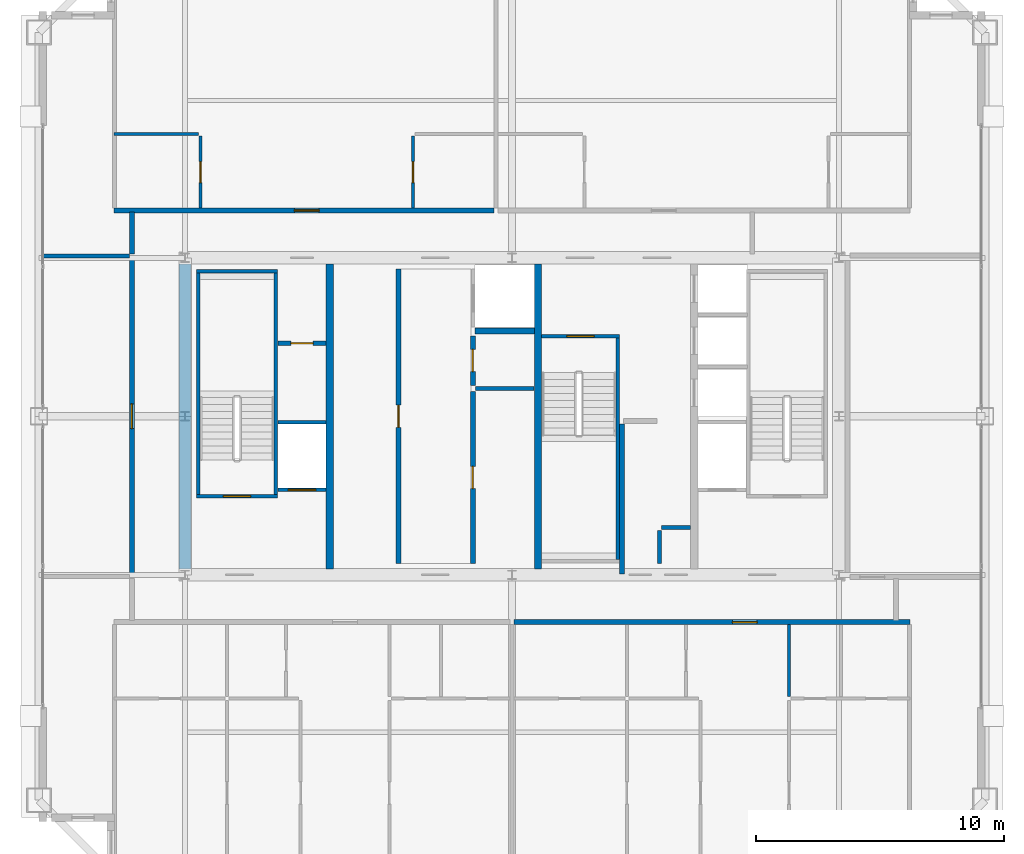
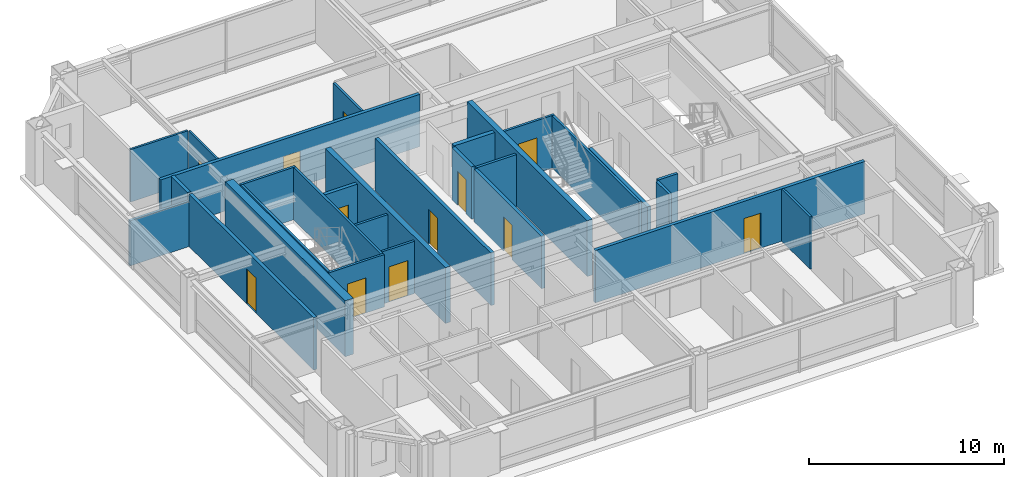
# One storey, part 31 of 34: 29 walls, 12 doors, 12 openings.
"""IFC4 building model written with IfcOpenShell, lengths in metres."""

from ifc_helpers import new_model, si_unit, direction, frame, frame_2d, origin, place, context, subcontext, project, spatial, rectangle, extrude, source, transform, mapped, material, layer, layer_set, type_object, element, fill, save


model = new_model("IFC4")

# Units and contexts
model_context = context("Model", 3, precision=1e-05, world=origin(), true_north=direction((0.0, 1.0)))
body_context = subcontext(model_context, "Body", "Model", "MODEL_VIEW")
ifc_project = project(units=[si_unit("LENGTHUNIT", "METRE"), si_unit("AREAUNIT", "SQUARE_METRE"), si_unit("VOLUMEUNIT", "CUBIC_METRE"), si_unit("PLANEANGLEUNIT", "RADIAN"), si_unit("MASSUNIT", "GRAM", prefix="KILO"), si_unit("THERMODYNAMICTEMPERATUREUNIT", "KELVIN"), si_unit("POWERUNIT", "WATT")], contexts=[model_context])

# Site, building, storey
site_placement = place(None, origin())
site = spatial("IfcSite", under=ifc_project, at=site_placement, CompositionType="ELEMENT")
building_placement = place(site_placement, origin())
building = spatial("IfcBuilding", under=site, at=building_placement, Name="Yuzanri Waterfront Tower", CompositionType="ELEMENT")
storey_placement = place(building_placement, frame((0.0, 0.0, 325.199951171875)))
storey = spatial("IfcBuildingStorey", under=building, at=storey_placement, Name="L87", CompositionType="ELEMENT", Elevation=325.199951171875)

# Wall, opening, door
ifc_material_1 = material(Name="Moisture-Resistant Gypsum Stud Wall", Category="gypsum")
ifc_layer_1 = layer(ifc_material_1, 0.1201171875)
ifc_layer_set_1 = layer_set([ifc_layer_1], Name="Moisture-Resistant Gypsum Stud Wall")
wall_type_1 = type_object("IfcWallType", Name="Bathroom and Kitchen Wet Partition 120", PredefinedType="PARTITIONING", material=ifc_layer_set_1)
wall_1_placement = place(storey_placement, frame((24.419921875, 34.2099609375, 0.0), z_axis=(0.0, 0.0, 1.0), x_axis=(0.0, 1.0, 0.0)))
wall_1 = element("IfcWall", 1, at=wall_1_placement, inside=storey, type_object=wall_type_1, Name="L87 Partition UW-L87-HN1-SUB-1-E", PredefinedType="PARTITIONING", context=body_context, shape_type="SweptSolid", body=[
    extrude(rectangle(XDim=2.900146484375, YDim=0.1201171875, at=frame_2d((1.4501953125, 0.0))), origin(), (0.0, 0.0, 1.0), 3.280029296875),
])
opening_1_placement = place(wall_1_placement, frame((1.02490234375, 0.0, 0.0)))
opening_1 = element("IfcOpeningElement", 2, at=opening_1_placement, cuts=wall_1, Name="Opening ID-0850", PredefinedType="OPENING", context=body_context, shape_type="SweptSolid", body=[
    extrude(rectangle(XDim=0.85009765625, YDim=2.10009765625, at=frame_2d((0.425048828125, 1.050048828125))), frame((0.0, 0.074951171875, 0.0), z_axis=(0.0, -1.0, 0.0), x_axis=(1.0, 0.0, 0.0)), (0.0, 0.0, 1.0), 0.14990234375),
])
ifc_material_2 = material(Name="Moisture-Resistant Lacquered Timber", Category="wood")
door_type_1 = type_object("IfcDoorType", Name="En-Suite Bathroom and Kitchen Swing Door 850x2100", OperationType="NOTDEFINED", PredefinedType="DOOR", material=ifc_material_2)
shared_shape_1 = source(origin(), body_context, "Body", "SweptSolid", [
    extrude(rectangle(XDim=0.85009765625, YDim=2.10009765625, at=frame_2d((0.425048828125, 1.050048828125))), frame((0.0, 0.02490234375, 0.0), z_axis=(0.0, -1.0, 0.0), x_axis=(1.0, 0.0, 0.0)), (0.0, 0.0, 1.0), 0.050048828125),
])
door_1_placement = place(opening_1_placement, origin())
door_1 = element("IfcDoor", 3, at=door_1_placement, inside=storey, type_object=door_type_1, Name="L87 Suite Interior Room Door", OperationType="SINGLE_SWING_LEFT", OverallHeight=2.10009765625, OverallWidth=0.85009765625, PredefinedType="DOOR", context=body_context, shape_type="MappedRepresentation", body=[
    mapped(shared_shape_1, transform((0.0, 0.0, 0.0), scale=1.0)),
])
fill(opening_1, door_1)

wall_2_placement = place(storey_placement, frame((32.998046875, 34.2099609375, 0.0), z_axis=(0.0, 0.0, 1.0), x_axis=(0.0, 1.0, 0.0)))
wall_2 = element("IfcWall", 4, at=wall_2_placement, inside=storey, type_object=wall_type_1, Name="L87 Partition UW-L87-HN1-SUB-2-W", PredefinedType="PARTITIONING", context=body_context, shape_type="SweptSolid", body=[
    extrude(rectangle(XDim=2.900146484375, YDim=0.1201171875, at=frame_2d((1.4501953125, 0.0))), origin(), (0.0, 0.0, 1.0), 3.280029296875),
])
opening_2_placement = place(wall_2_placement, frame((1.02490234375, 0.0, 0.0)))
opening_2 = element("IfcOpeningElement", 5, at=opening_2_placement, cuts=wall_2, Name="Opening ID-0850", PredefinedType="OPENING", context=body_context, shape_type="SweptSolid", body=[
    extrude(rectangle(XDim=0.85009765625, YDim=2.10009765625, at=frame_2d((0.425048828125, 1.050048828125))), frame((0.0, 0.074951171875, 0.0), z_axis=(0.0, -1.0, 0.0), x_axis=(1.0, 0.0, 0.0)), (0.0, 0.0, 1.0), 0.14990234375),
])
door_2_placement = place(opening_2_placement, origin())
door_2 = element("IfcDoor", 6, at=door_2_placement, inside=storey, type_object=door_type_1, Name="L87 Suite Interior Room Door", OperationType="SINGLE_SWING_RIGHT", OverallHeight=2.10009765625, OverallWidth=0.85009765625, PredefinedType="DOOR", context=body_context, shape_type="MappedRepresentation", body=[
    mapped(shared_shape_1, transform((0.0, 0.0, 0.0), scale=1.0)),
])
fill(opening_2, door_2)

ifc_material_3 = material(Name="Concrete C40", Category="concrete")
ifc_layer_2 = layer(ifc_material_3, 0.139892578125)
ifc_layer_set_2 = layer_set([ifc_layer_2], Name="Concrete C40")
wall_type_2 = type_object("IfcWallType", Name="Core Stair Liner and Hoistway Shaft Wall 140", PredefinedType="SOLIDWALL", material=ifc_layer_set_2)
wall_3_placement = place(storey_placement, frame((27.56005859375, 22.830078125, 0.0), z_axis=(0.0, 0.0, 1.0), x_axis=(1.0, 0.0, 0.0)))
wall_3 = element("IfcWall", 7, at=wall_3_placement, inside=storey, type_object=wall_type_2, Name="L87 Lift FL-01 Front Shaft Wall", PredefinedType="SOLIDWALL", context=body_context, shape_type="SweptSolid", body=[
    extrude(rectangle(XDim=1.919921875, YDim=0.139892578125, at=frame_2d((0.9599609375, 0.0))), origin(), (0.0, 0.0, 1.0), 3.280029296875),
])
opening_3_placement = place(wall_3_placement, frame((0.409912109375, 0.0, 0.0)))
opening_3 = element("IfcOpeningElement", 8, at=opening_3_placement, cuts=wall_3, Name="Opening LD-FL-01", PredefinedType="OPENING", context=body_context, shape_type="SweptSolid", body=[
    extrude(rectangle(XDim=1.10009765625, YDim=2.199951171875, at=frame_2d((0.550048828125, 1.10009765625))), frame((0.0, 0.0849609375, 0.0), z_axis=(0.0, -1.0, 0.0), x_axis=(1.0, 0.0, 0.0)), (0.0, 0.0, 1.0), 0.169677734375),
])
ifc_material_4 = material(Name="Brushed Bronze and Stainless Steel Cab", Category="steel")
door_type_2 = type_object("IfcDoorType", Name="Center-Parting Bronze Lift Landing Sliding Door 1100x2200", OperationType="NOTDEFINED", PredefinedType="DOOR", material=ifc_material_4)
shared_shape_2 = source(origin(), body_context, "Body", "SweptSolid", [
    extrude(rectangle(XDim=1.10009765625, YDim=2.199951171875, at=frame_2d((0.550048828125, 1.10009765625))), frame((0.0, 0.02490234375, 0.0), z_axis=(0.0, -1.0, 0.0), x_axis=(1.0, 0.0, 0.0)), (0.0, 0.0, 1.0), 0.050048828125),
])
door_3_placement = place(opening_3_placement, origin())
door_3 = element("IfcDoor", 9, at=door_3_placement, inside=storey, type_object=door_type_2, Name="L87 FL-01 Lift Landing Sliding Door", OperationType="SLIDING_TO_LEFT", OverallHeight=2.199951171875, OverallWidth=1.10009765625, PredefinedType="DOOR", context=body_context, shape_type="MappedRepresentation", body=[
    mapped(shared_shape_2, transform((0.0, 0.0, 0.0), scale=1.0)),
])
fill(opening_3, door_3)

wall_4_placement = place(storey_placement, frame((24.260009765625, 22.570068359375, 0.0), z_axis=(0.0, 0.0, 1.0), x_axis=(1.0, 0.0, 0.0)))
wall_4 = element("IfcWall", 10, at=wall_4_placement, inside=storey, type_object=wall_type_2, Name="L87 Shaft Wall STW-L87-ST-01-S", PredefinedType="SOLIDWALL", context=body_context, shape_type="SweptSolid", body=[
    extrude(rectangle(XDim=3.280029296875, YDim=0.139892578125, at=frame_2d((1.64013671875, 0.0))), origin(), (0.0, 0.0, 1.0), 3.280029296875),
])
opening_4_placement = place(wall_4_placement, frame((1.090087890625, 0.0, 0.0)))
opening_4 = element("IfcOpeningElement", 11, at=opening_4_placement, cuts=wall_4, Name="Opening FD-1100", PredefinedType="OPENING", context=body_context, shape_type="SweptSolid", body=[
    extrude(rectangle(XDim=1.10009765625, YDim=2.199951171875, at=frame_2d((0.550048828125, 1.10009765625))), frame((0.0, 0.0849609375, 0.0), z_axis=(0.0, -1.0, 0.0), x_axis=(1.0, 0.0, 0.0)), (0.0, 0.0, 1.0), 0.169677734375),
])
ifc_material_5 = material(Name="Painted Galvanized Fire Steel", Category="steel")
door_type_3 = type_object("IfcDoorType", Name="Smoke-Proof Stair and Lobby Fire Door 1100x2200", OperationType="NOTDEFINED", PredefinedType="DOOR", material=ifc_material_5)
shared_shape_3 = source(origin(), body_context, "Body", "SweptSolid", [
    extrude(rectangle(XDim=1.10009765625, YDim=2.199951171875, at=frame_2d((0.550048828125, 1.10009765625))), frame((0.0, 0.02490234375, 0.0), z_axis=(0.0, -1.0, 0.0), x_axis=(1.0, 0.0, 0.0)), (0.0, 0.0, 1.0), 0.050048828125),
])
door_4_placement = place(opening_4_placement, origin())
door_4 = element("IfcDoor", 12, at=door_4_placement, inside=storey, type_object=door_type_3, Name="L87 Stair ST-01 Fire Door", OperationType="SINGLE_SWING_RIGHT", OverallHeight=2.199951171875, OverallWidth=1.10009765625, PredefinedType="DOOR", context=body_context, shape_type="MappedRepresentation", body=[
    mapped(shared_shape_3, transform((0.0, 0.0, 0.0), scale=1.0)),
])
fill(opening_4, door_4)

wall_5_placement = place(storey_placement, frame((38.199951171875, 29.030029296875, 0.0), z_axis=(0.0, 0.0, 1.0), x_axis=(1.0, 0.0, 0.0)))
wall_5 = element("IfcWall", 13, at=wall_5_placement, inside=storey, type_object=wall_type_2, Name="L87 Shaft Wall STW-L87-ST-03-N", PredefinedType="SOLIDWALL", context=body_context, shape_type="SweptSolid", body=[
    extrude(rectangle(XDim=3.14013671875, YDim=0.139892578125, at=frame_2d((1.570068359375, 0.0))), origin(), (0.0, 0.0, 1.0), 3.280029296875),
])
opening_5_placement = place(wall_5_placement, frame((1.02001953125, 0.0, 0.0)))
opening_5 = element("IfcOpeningElement", 14, at=opening_5_placement, cuts=wall_5, Name="Opening FD-1100", PredefinedType="OPENING", context=body_context, shape_type="SweptSolid", body=[
    extrude(rectangle(XDim=1.10009765625, YDim=2.199951171875, at=frame_2d((0.550048828125, 1.10009765625))), frame((0.0, 0.0849609375, 0.0), z_axis=(0.0, -1.0, 0.0), x_axis=(1.0, 0.0, 0.0)), (0.0, 0.0, 1.0), 0.169677734375),
])
door_5_placement = place(opening_5_placement, origin())
door_5 = element("IfcDoor", 15, at=door_5_placement, inside=storey, type_object=door_type_3, Name="L87 Stair ST-03 Fire Door", OperationType="SINGLE_SWING_RIGHT", OverallHeight=2.199951171875, OverallWidth=1.10009765625, PredefinedType="DOOR", context=body_context, shape_type="MappedRepresentation", body=[
    mapped(shared_shape_3, transform((0.0, 0.0, 0.0), scale=1.0)),
])
fill(opening_5, door_5)

ifc_material_6 = material(Name="Autoclaved Aerated Concrete Blockwork", Category="masonry")
ifc_layer_3 = layer(ifc_material_6, 0.199951171875)
ifc_layer_set_3 = layer_set([ifc_layer_3], Name="Autoclaved Aerated Concrete Blockwork")
wall_type_3 = type_object("IfcWallType", Name="Corridor and Unit Party Fire Wall 200", PredefinedType="PARTITIONING", material=ifc_layer_set_3)
wall_6_placement = place(storey_placement, frame((27.56005859375, 28.75, 0.0), z_axis=(0.0, 0.0, 1.0), x_axis=(1.0, 0.0, 0.0)))
wall_6 = element("IfcWall", 16, at=wall_6_placement, inside=storey, type_object=wall_type_3, Name="L87 Partition CRW-L87-ERTR", PredefinedType="PARTITIONING", context=body_context, shape_type="SweptSolid", body=[
    extrude(rectangle(XDim=1.919921875, YDim=0.199951171875, at=frame_2d((0.9599609375, 0.0))), origin(), (0.0, 0.0, 1.0), 3.280029296875),
])
opening_6_placement = place(wall_6_placement, frame((0.510009765625, 0.0, 0.0)))
opening_6 = element("IfcOpeningElement", 17, at=opening_6_placement, cuts=wall_6, Name="Opening FD-0900", PredefinedType="OPENING", context=body_context, shape_type="SweptSolid", body=[
    extrude(rectangle(XDim=0.89990234375, YDim=2.14990234375, at=frame_2d((0.449951171875, 1.074951171875))), frame((0.0, 0.11474609375, 0.0), z_axis=(0.0, -1.0, 0.0), x_axis=(1.0, 0.0, 0.0)), (0.0, 0.0, 1.0), 0.229736328125),
])
ifc_material_7 = material(Name="Painted Galvanized Fire Steel", Category="steel")
door_type_4 = type_object("IfcDoorType", Name="Riser and Service Room Fire Door 900x2150", OperationType="NOTDEFINED", PredefinedType="DOOR", material=ifc_material_7)
shared_shape_4 = source(origin(), body_context, "Body", "SweptSolid", [
    extrude(rectangle(XDim=0.89990234375, YDim=2.14990234375, at=frame_2d((0.449951171875, 1.074951171875))), frame((0.0, 0.02490234375, 0.0), z_axis=(0.0, -1.0, 0.0), x_axis=(1.0, 0.0, 0.0)), (0.0, 0.0, 1.0), 0.050048828125),
])
door_6_placement = place(opening_6_placement, origin())
door_6 = element("IfcDoor", 18, at=door_6_placement, inside=storey, type_object=door_type_4, Name="L87 Electrical Riser Door", OperationType="SINGLE_SWING_RIGHT", OverallHeight=2.14990234375, OverallWidth=0.89990234375, PredefinedType="DOOR", context=body_context, shape_type="MappedRepresentation", body=[
    mapped(shared_shape_4, transform((0.0, 0.0, 0.0), scale=1.0)),
])
fill(opening_6, door_6)

wall_7_placement = place(storey_placement, frame((32.419921875, 19.860107421875, 0.0), z_axis=(0.0, 0.0, 1.0), x_axis=(0.0, 1.0, 0.0)))
wall_7 = element("IfcWall", 19, at=wall_7_placement, inside=storey, type_object=wall_type_3, Name="L87 Partition CRW-L87-B1R-1", PredefinedType="PARTITIONING", context=body_context, shape_type="SweptSolid", body=[
    extrude(rectangle(XDim=11.8798828125, YDim=0.199951171875, at=frame_2d((5.93994140625, 0.0))), origin(), (0.0, 0.0, 1.0), 3.280029296875),
])
opening_7_placement = place(wall_7_placement, frame((5.489990234375, 0.0, 0.0)))
opening_7 = element("IfcOpeningElement", 20, at=opening_7_placement, cuts=wall_7, Name="Opening FD-0900", PredefinedType="OPENING", context=body_context, shape_type="SweptSolid", body=[
    extrude(rectangle(XDim=0.89990234375, YDim=2.14990234375, at=frame_2d((0.449951171875, 1.074951171875))), frame((0.0, 0.11474609375, 0.0), z_axis=(0.0, -1.0, 0.0), x_axis=(1.0, 0.0, 0.0)), (0.0, 0.0, 1.0), 0.229736328125),
])
door_7_placement = place(opening_7_placement, origin())
door_7 = element("IfcDoor", 21, at=door_7_placement, inside=storey, type_object=door_type_4, Name="L87 Private Store Room", OperationType="SINGLE_SWING_LEFT", OverallHeight=2.14990234375, OverallWidth=0.89990234375, PredefinedType="DOOR", context=body_context, shape_type="MappedRepresentation", body=[
    mapped(shared_shape_4, transform((0.0, 0.0, 0.0), scale=1.0)),
])
fill(opening_7, door_7)

wall_8_placement = place(storey_placement, frame((35.419921875, 19.860107421875, 0.0), z_axis=(0.0, 0.0, 1.0), x_axis=(0.0, 1.0, 0.0)))
wall_8 = element("IfcWall", 22, at=wall_8_placement, inside=storey, type_object=wall_type_3, Name="L87 Partition CRW-L87-B2R-1", PredefinedType="PARTITIONING", context=body_context, shape_type="SweptSolid", body=[
    extrude(rectangle(XDim=6.93994140625, YDim=0.199951171875, at=frame_2d((3.469970703125, 0.0))), origin(), (0.0, 0.0, 1.0), 3.280029296875),
])
opening_8_placement = place(wall_8_placement, frame((3.02001953125, 0.0, 0.0)))
opening_8 = element("IfcOpeningElement", 23, at=opening_8_placement, cuts=wall_8, Name="Opening FD-0900", PredefinedType="OPENING", context=body_context, shape_type="SweptSolid", body=[
    extrude(rectangle(XDim=0.89990234375, YDim=2.14990234375, at=frame_2d((0.449951171875, 1.074951171875))), frame((0.0, 0.11474609375, 0.0), z_axis=(0.0, -1.0, 0.0), x_axis=(1.0, 0.0, 0.0)), (0.0, 0.0, 1.0), 0.229736328125),
])
door_8_placement = place(opening_8_placement, origin())
door_8 = element("IfcDoor", 24, at=door_8_placement, inside=storey, type_object=door_type_4, Name="L87 East Common Store Room", OperationType="SINGLE_SWING_RIGHT", OverallHeight=2.14990234375, OverallWidth=0.89990234375, PredefinedType="DOOR", context=body_context, shape_type="MappedRepresentation", body=[
    mapped(shared_shape_4, transform((0.0, 0.0, 0.0), scale=1.0)),
])
fill(opening_8, door_8)

wall_9_placement = place(storey_placement, frame((35.419921875, 27.050048828125, 0.0), z_axis=(0.0, 0.0, 1.0), x_axis=(0.0, 1.0, 0.0)))
wall_9 = element("IfcWall", 25, at=wall_9_placement, inside=storey, type_object=wall_type_3, Name="L87 Partition CRW-L87-B2R-2", PredefinedType="PARTITIONING", context=body_context, shape_type="SweptSolid", body=[
    extrude(rectangle(XDim=2.0, YDim=0.199951171875, at=frame_2d((1.0, 0.0))), origin(), (0.0, 0.0, 1.0), 3.280029296875),
])
opening_9_placement = place(wall_9_placement, frame((0.550048828125, 0.0, 0.0)))
opening_9 = element("IfcOpeningElement", 26, at=opening_9_placement, cuts=wall_9, Name="Opening FD-0900", PredefinedType="OPENING", context=body_context, shape_type="SweptSolid", body=[
    extrude(rectangle(XDim=0.89990234375, YDim=2.14990234375, at=frame_2d((0.449951171875, 1.074951171875))), frame((0.0, 0.11474609375, 0.0), z_axis=(0.0, -1.0, 0.0), x_axis=(1.0, 0.0, 0.0)), (0.0, 0.0, 1.0), 0.229736328125),
])
door_9_placement = place(opening_9_placement, origin())
door_9 = element("IfcDoor", 27, at=door_9_placement, inside=storey, type_object=door_type_4, Name="L87 Service Duct Shaft", OperationType="SINGLE_SWING_LEFT", OverallHeight=2.14990234375, OverallWidth=0.89990234375, PredefinedType="DOOR", context=body_context, shape_type="MappedRepresentation", body=[
    mapped(shared_shape_4, transform((0.0, 0.0, 0.0), scale=1.0)),
])
fill(opening_9, door_9)

wall_10_placement = place(storey_placement, frame((37.080078125, 17.489990234375, 0.0), z_axis=(0.0, 0.0, 1.0), x_axis=(1.0, 0.0, 0.0)))
wall_10 = element("IfcWall", 28, at=wall_10_placement, inside=storey, type_object=wall_type_3, Name="L87 Partition UW-L87-HS2-CN", PredefinedType="PARTITIONING", context=body_context, shape_type="SweptSolid", body=[
    extrude(rectangle(XDim=15.97998046875, YDim=0.199951171875, at=frame_2d((7.989990234375, 0.0))), origin(), (0.0, 0.0, 1.0), 3.280029296875),
])
opening_10_placement = place(wall_10_placement, frame((8.81591796875, 0.0, 0.0)))
opening_10 = element("IfcOpeningElement", 29, at=opening_10_placement, cuts=wall_10, Name="Opening FD-1000", PredefinedType="OPENING", context=body_context, shape_type="SweptSolid", body=[
    extrude(rectangle(XDim=1.0, YDim=2.199951171875, at=frame_2d((0.5, 1.10009765625))), frame((0.0, 0.11474609375, 0.0), z_axis=(0.0, -1.0, 0.0), x_axis=(1.0, 0.0, 0.0)), (0.0, 0.0, 1.0), 0.229736328125),
])
ifc_material_8 = material(Name="Engineered Oak Fire-Rated Timber", Category="wood")
door_type_5 = type_object("IfcDoorType", Name="Guestroom and Apartment Entrance Fire Door 1000x2200", OperationType="NOTDEFINED", PredefinedType="DOOR", material=ifc_material_8)
shared_shape_5 = source(origin(), body_context, "Body", "SweptSolid", [
    extrude(rectangle(XDim=1.0, YDim=2.199951171875, at=frame_2d((0.5, 1.10009765625))), frame((0.0, 0.02490234375, 0.0), z_axis=(0.0, -1.0, 0.0), x_axis=(1.0, 0.0, 0.0)), (0.0, 0.0, 1.0), 0.050048828125),
])
door_10_placement = place(opening_10_placement, origin())
door_10 = element("IfcDoor", 30, at=door_10_placement, inside=storey, type_object=door_type_5, Name="L87 Apartment Living and Dining Salon Entrance Door", OperationType="SINGLE_SWING_RIGHT", OverallHeight=2.199951171875, OverallWidth=1.0, PredefinedType="DOOR", context=body_context, shape_type="MappedRepresentation", body=[
    mapped(shared_shape_5, transform((0.0, 0.0, 0.0), scale=1.0)),
])
fill(opening_10, door_10)

wall_11_placement = place(storey_placement, frame((20.93994140625, 34.110107421875, 0.0), z_axis=(0.0, 0.0, 1.0), x_axis=(1.0, 0.0, 0.0)))
wall_11 = element("IfcWall", 31, at=wall_11_placement, inside=storey, type_object=wall_type_3, Name="L87 Partition UW-L87-HN1-CS", PredefinedType="PARTITIONING", context=body_context, shape_type="SweptSolid", body=[
    extrude(rectangle(XDim=15.338134765625, YDim=0.199951171875, at=frame_2d((7.6689453125, 0.0))), origin(), (0.0, 0.0, 1.0), 3.280029296875),
])
opening_11_placement = place(wall_11_placement, frame((7.26904296875, 0.0, 0.0)))
opening_11 = element("IfcOpeningElement", 32, at=opening_11_placement, cuts=wall_11, Name="Opening FD-1000", PredefinedType="OPENING", context=body_context, shape_type="SweptSolid", body=[
    extrude(rectangle(XDim=1.0, YDim=2.199951171875, at=frame_2d((0.5, 1.10009765625))), frame((0.0, 0.11474609375, 0.0), z_axis=(0.0, -1.0, 0.0), x_axis=(1.0, 0.0, 0.0)), (0.0, 0.0, 1.0), 0.229736328125),
])
door_11_placement = place(opening_11_placement, origin())
door_11 = element("IfcDoor", 33, at=door_11_placement, inside=storey, type_object=door_type_5, Name="L87 Studio Living and Sleeping Room Entrance Door", OperationType="SINGLE_SWING_RIGHT", OverallHeight=2.199951171875, OverallWidth=1.0, PredefinedType="DOOR", context=body_context, shape_type="MappedRepresentation", body=[
    mapped(shared_shape_5, transform((0.0, 0.0, 0.0), scale=1.0)),
])
fill(opening_11, door_11)

wall_12_placement = place(storey_placement, frame((21.64990234375, 19.409912109375, 0.0), z_axis=(0.0, 0.0, 1.0), x_axis=(0.0, 1.0, 0.0)))
wall_12 = element("IfcWall", 34, at=wall_12_placement, inside=storey, type_object=wall_type_3, Name="L87 Partition UW-L87-041-CW", PredefinedType="PARTITIONING", context=body_context, shape_type="SweptSolid", body=[
    extrude(rectangle(XDim=12.780029296875, YDim=0.199951171875, at=frame_2d((6.39013671875, 0.0))), origin(), (0.0, 0.0, 1.0), 3.280029296875),
])
opening_12_placement = place(wall_12_placement, frame((5.889892578125, 0.0, 0.0)))
opening_12 = element("IfcOpeningElement", 35, at=opening_12_placement, cuts=wall_12, Name="Opening FD-1000", PredefinedType="OPENING", context=body_context, shape_type="SweptSolid", body=[
    extrude(rectangle(XDim=1.0, YDim=2.199951171875, at=frame_2d((0.5, 1.10009765625))), frame((0.0, 0.11474609375, 0.0), z_axis=(0.0, -1.0, 0.0), x_axis=(1.0, 0.0, 0.0)), (0.0, 0.0, 1.0), 0.229736328125),
])
door_12_placement = place(opening_12_placement, origin())
door_12 = element("IfcDoor", 36, at=door_12_placement, inside=storey, type_object=door_type_5, Name="L87 High-Rise W Boardroom Meeting Room Entrance Door", OperationType="SINGLE_SWING_RIGHT", OverallHeight=2.199951171875, OverallWidth=1.0, PredefinedType="DOOR", context=body_context, shape_type="MappedRepresentation", body=[
    mapped(shared_shape_5, transform((0.0, 0.0, 0.0), scale=1.0)),
])
fill(opening_12, door_12)

# Walls
ifc_material_9 = material(Name="Concrete C45", Category="concrete")
ifc_layer_4 = layer(ifc_material_9, 0.47998046875)
ifc_layer_set_4 = layer_set([ifc_layer_4], Name="Concrete C45")
wall_type_4 = type_object("IfcWallType", Name="Concrete C45 High-Rise Core Shear Wall 480", PredefinedType="SHEAR", material=ifc_layer_set_4)
shared_shape_6 = source(origin(), body_context, "Body", "SweptSolid", [
    extrude(rectangle(XDim=12.320068359375, YDim=0.47998046875, at=frame_2d((6.16015625, 0.0))), origin(), (0.0, 0.0, 1.0), 3.5),
])
wall_13_placement = place(storey_placement, frame((23.800048828125, 19.639892578125, 0.0), z_axis=(0.0, 0.0, 1.0), x_axis=(0.0, 1.0, 0.0)))
element("IfcWall", 37, at=wall_13_placement, inside=storey, type_object=wall_type_4, Name="L87 Core West Shear Wall", PredefinedType="SHEAR", context=body_context, shape_type="MappedRepresentation", body=[
    mapped(shared_shape_6, transform((0.0, 0.0, 0.0), scale=1.0)),
])
ifc_material_10 = material(Name="Concrete C50", Category="concrete")
ifc_layer_5 = layer(ifc_material_10, 0.300048828125)
ifc_layer_set_5 = layer_set([ifc_layer_5], Name="Concrete C50")
wall_type_5 = type_object("IfcWallType", Name="Concrete C50 Internal Core Shaft Structural Wall 300", PredefinedType="SOLIDWALL", material=ifc_layer_set_5)
shared_shape_7 = source(origin(), body_context, "Body", "SweptSolid", [
    extrude(rectangle(XDim=12.320068359375, YDim=0.300048828125, at=frame_2d((6.16015625, 0.0))), origin(), (0.0, 0.0, 1.0), 3.5),
])
for number, where, z_axis, x_axis, name in (
    (38, (29.64990234375, 19.639892578125, 0.0), (0.0, 0.0, 1.0), (0.0, 1.0, 0.0), "L87 Core Internal Structural Web Wall 1"),
    (39, (38.050048828125, 19.639892578125, 0.0), (0.0, 0.0, 1.0), (0.0, 1.0, 0.0), "L87 Core Internal Structural Web Wall 2"),
):
    element("IfcWall", number, at=place(storey_placement, frame(where, z_axis=z_axis, x_axis=x_axis)), inside=storey, type_object=wall_type_5, Name=name, PredefinedType="SOLIDWALL", context=body_context, shape_type="MappedRepresentation", body=[
        mapped(shared_shape_7, transform((0.0, 0.0, 0.0), scale=1.0)),
    ])
shared_shape_8 = source(origin(), body_context, "Body", "SweptSolid", [
    extrude(rectangle(XDim=1.919921875, YDim=0.139892578125, at=frame_2d((0.9599609375, 0.0))), origin(), (0.0, 0.0, 1.0), 3.280029296875),
])
wall_14_placement = place(storey_placement, frame((27.56005859375, 25.570068359375, 0.0), z_axis=(0.0, 0.0, 1.0), x_axis=(1.0, 0.0, 0.0)))
element("IfcWall", 40, at=wall_14_placement, inside=storey, type_object=wall_type_2, Name="L87 Lift FL-01 Back Shaft Wall", PredefinedType="SOLIDWALL", context=body_context, shape_type="MappedRepresentation", body=[
    mapped(shared_shape_8, transform((0.0, 0.0, 0.0), scale=1.0)),
])
ifc_material_11 = material(Name="Concrete C40", Category="concrete")
ifc_layer_6 = layer(ifc_material_11, 0.25)
ifc_layer_set_6 = layer_set([ifc_layer_6], Name="Concrete C40")
wall_type_6 = type_object("IfcWallType", Name="Smoke-Proof Stair and Lift Shaft Wall 250", PredefinedType="SOLIDWALL", material=ifc_layer_set_6)
shared_shape_9 = source(origin(), body_context, "Body", "SweptSolid", [
    extrude(rectangle(XDim=2.39990234375, YDim=0.25, at=frame_2d((1.199951171875, 0.0))), origin(), (0.0, 0.0, 1.0), 3.280029296875),
])
wall_15_placement = place(storey_placement, frame((35.5, 29.25, 0.0), z_axis=(0.0, 0.0, 1.0), x_axis=(1.0, 0.0, 0.0)))
element("IfcWall", 41, at=wall_15_placement, inside=storey, type_object=wall_type_6, Name="L87 Lift SL-02 South Shaft Wall", PredefinedType="SOLIDWALL", context=body_context, shape_type="MappedRepresentation", body=[
    mapped(shared_shape_9, transform((0.0, 0.0, 0.0), scale=1.0)),
])
shared_shape_10 = source(origin(), body_context, "Body", "SweptSolid", [
    extrude(rectangle(XDim=3.280029296875, YDim=0.139892578125, at=frame_2d((1.64013671875, 0.0))), origin(), (0.0, 0.0, 1.0), 3.280029296875),
])
wall_16_placement = place(storey_placement, frame((24.260009765625, 31.64990234375, 0.0), z_axis=(0.0, 0.0, 1.0), x_axis=(1.0, 0.0, 0.0)))
element("IfcWall", 42, at=wall_16_placement, inside=storey, type_object=wall_type_2, Name="L87 Stair ST-01 North Shaft Wall", PredefinedType="SOLIDWALL", context=body_context, shape_type="MappedRepresentation", body=[
    mapped(shared_shape_10, transform((0.0, 0.0, 0.0), scale=1.0)),
])
shared_shape_11 = source(origin(), body_context, "Body", "SweptSolid", [
    extrude(rectangle(XDim=8.940185546875, YDim=0.139892578125, at=frame_2d((4.47021484375, 0.0))), origin(), (0.0, 0.0, 1.0), 3.280029296875),
])
for number, where, z_axis, x_axis, name in (
    (43, (24.330078125, 22.639892578125, 0.0), (0.0, 0.0, 1.0), (0.0, 1.0, 0.0), "L87 Stair ST-01 West Shaft Wall"),
    (44, (27.469970703125, 22.639892578125, 0.0), (0.0, 0.0, 1.0), (0.0, 1.0, 0.0), "L87 Stair ST-01 East Shaft Wall"),
):
    element("IfcWall", number, at=place(storey_placement, frame(where, z_axis=z_axis, x_axis=x_axis)), inside=storey, type_object=wall_type_2, Name=name, PredefinedType="SOLIDWALL", context=body_context, shape_type="MappedRepresentation", body=[
        mapped(shared_shape_11, transform((0.0, 0.0, 0.0), scale=1.0)),
    ])
shared_shape_12 = source(origin(), body_context, "Body", "SweptSolid", [
    extrude(rectangle(XDim=8.93994140625, YDim=0.139892578125, at=frame_2d((4.469970703125, 0.0))), origin(), (0.0, 0.0, 1.0), 3.280029296875),
])
wall_17_placement = place(storey_placement, frame((41.27001953125, 20.02001953125, 0.0), z_axis=(0.0, 0.0, 1.0), x_axis=(0.0, 1.0, 0.0)))
element("IfcWall", 45, at=wall_17_placement, inside=storey, type_object=wall_type_2, Name="L87 Stair ST-03 East Shaft Wall", PredefinedType="SOLIDWALL", context=body_context, shape_type="MappedRepresentation", body=[
    mapped(shared_shape_12, transform((0.0, 0.0, 0.0), scale=1.0)),
])
ifc_material_12 = material(Name="Gypsum Fireboard Acoustic Stud Wall", Category="gypsum")
ifc_layer_7 = layer(ifc_material_12, 0.159912109375)
ifc_layer_set_7 = layer_set([ifc_layer_7], Name="Gypsum Fireboard Acoustic Stud Wall")
wall_type_7 = type_object("IfcWallType", Name="Acoustic Suite Demising Partition 160", PredefinedType="PARTITIONING", material=ifc_layer_set_7)
shared_shape_13 = source(origin(), body_context, "Body", "SweptSolid", [
    extrude(rectangle(XDim=1.33984375, YDim=0.159912109375, at=frame_2d((0.669921875, 0.0))), origin(), (0.0, 0.0, 1.0), 3.280029296875),
])
wall_18_placement = place(storey_placement, frame((42.949951171875, 19.860107421875, 0.0), z_axis=(0.0, 0.0, 1.0), x_axis=(0.0, 1.0, 0.0)))
element("IfcWall", 46, at=wall_18_placement, inside=storey, type_object=wall_type_7, Name="L87 East Wet Riser West Wall", PredefinedType="PARTITIONING", context=body_context, shape_type="MappedRepresentation", body=[
    mapped(shared_shape_13, transform((0.0, 0.0, 0.0), scale=1.0)),
])
shared_shape_14 = source(origin(), body_context, "Body", "SweptSolid", [
    extrude(rectangle(XDim=1.169921875, YDim=0.159912109375, at=frame_2d((0.5849609375, 0.0))), origin(), (0.0, 0.0, 1.0), 3.280029296875),
])
wall_19_placement = place(storey_placement, frame((43.030029296875, 21.320068359375, 0.0), z_axis=(0.0, 0.0, 1.0), x_axis=(1.0, 0.0, 0.0)))
element("IfcWall", 47, at=wall_19_placement, inside=storey, type_object=wall_type_7, Name="L87 East Wet Riser North Wall", PredefinedType="PARTITIONING", context=body_context, shape_type="MappedRepresentation", body=[
    mapped(shared_shape_14, transform((0.0, 0.0, 0.0), scale=1.0)),
])
shared_shape_15 = source(origin(), body_context, "Body", "SweptSolid", [
    extrude(rectangle(XDim=3.400146484375, YDim=0.1201171875, at=frame_2d((1.7001953125, 0.0))), origin(), (0.0, 0.0, 1.0), 3.280029296875),
])
wall_20_placement = place(storey_placement, frame((20.93994140625, 37.18994140625, 0.0), z_axis=(0.0, 0.0, 1.0), x_axis=(1.0, 0.0, 0.0)))
element("IfcWall", 48, at=wall_20_placement, inside=storey, type_object=wall_type_1, Name="L87 Partition UW-L87-HN1-SUB-1-N", PredefinedType="PARTITIONING", context=body_context, shape_type="MappedRepresentation", body=[
    mapped(shared_shape_15, transform((0.0, 0.0, 0.0), scale=1.0)),
])
shared_shape_16 = source(origin(), body_context, "Body", "SweptSolid", [
    extrude(rectangle(XDim=3.5, YDim=0.159912109375, at=frame_2d((1.75, 0.0))), origin(), (0.0, 0.0, 1.0), 2.824951171875),
])
wall_21_placement = place(storey_placement, frame((18.050048828125, 32.27001953125, 0.0), z_axis=(0.0, 0.0, 1.0), x_axis=(1.0, 0.0, 0.0)))
element("IfcWall", 49, at=wall_21_placement, inside=storey, type_object=wall_type_7, Name="L87-041 Wing North End Wall", PredefinedType="PARTITIONING", context=body_context, shape_type="MappedRepresentation", body=[
    mapped(shared_shape_16, transform((0.0, 0.0, 0.0), scale=1.0)),
])
shared_shape_17 = source(origin(), body_context, "Body", "SweptSolid", [
    extrude(rectangle(XDim=2.35986328125, YDim=0.159912109375, at=frame_2d((1.179931640625, 0.0))), origin(), (0.0, 0.0, 1.0), 3.280029296875),
])
wall_22_placement = place(storey_placement, frame((35.52001953125, 26.929931640625, 0.0), z_axis=(0.0, 0.0, 1.0), x_axis=(1.0, 0.0, 0.0)))
element("IfcWall", 50, at=wall_22_placement, inside=storey, type_object=wall_type_7, Name="L87 Reclaimed High-Zone Divider 2", PredefinedType="PARTITIONING", context=body_context, shape_type="MappedRepresentation", body=[
    mapped(shared_shape_17, transform((0.0, 0.0, 0.0), scale=1.0)),
])
shared_shape_18 = source(origin(), body_context, "Body", "SweptSolid", [
    extrude(rectangle(XDim=6.06005859375, YDim=0.199951171875, at=frame_2d((3.030029296875, 0.0))), origin(), (0.0, 0.0, 1.0), 3.280029296875),
])
wall_23_placement = place(storey_placement, frame((41.449951171875, 19.43994140625, 0.0), z_axis=(0.0, 0.0, 1.0), x_axis=(0.0, 1.0, 0.0)))
element("IfcWall", 51, at=wall_23_placement, inside=storey, type_object=wall_type_3, Name="L87 Core BOH West Wall 1", PredefinedType="PARTITIONING", context=body_context, shape_type="MappedRepresentation", body=[
    mapped(shared_shape_18, transform((0.0, 0.0, 0.0), scale=1.0)),
])
shared_shape_19 = source(origin(), body_context, "Body", "SweptSolid", [
    extrude(rectangle(XDim=1.699951171875, YDim=0.199951171875, at=frame_2d((0.85009765625, 0.0))), origin(), (0.0, 0.0, 1.0), 3.280029296875),
])
wall_24_placement = place(storey_placement, frame((21.64990234375, 32.35009765625, 0.0), z_axis=(0.0, 0.0, 1.0), x_axis=(0.0, 1.0, 0.0)))
element("IfcWall", 52, at=wall_24_placement, inside=storey, type_object=wall_type_3, Name="L87 North Foyer West End Wall", PredefinedType="PARTITIONING", context=body_context, shape_type="MappedRepresentation", body=[
    mapped(shared_shape_19, transform((0.0, 0.0, 0.0), scale=1.0)),
])
shared_shape_20 = source(origin(), body_context, "Body", "SweptSolid", [
    extrude(rectangle(XDim=2.89990234375, YDim=0.1201171875, at=frame_2d((1.449951171875, 0.0))), origin(), (0.0, 0.0, 1.0), 3.280029296875),
])
wall_25_placement = place(storey_placement, frame((48.18603515625, 14.489990234375, 0.0), z_axis=(0.0, 0.0, 1.0), x_axis=(0.0, 1.0, 0.0)))
element("IfcWall", 53, at=wall_25_placement, inside=storey, type_object=wall_type_1, Name="L87 Partition UW-L87-HS2-SUB-4-W", PredefinedType="PARTITIONING", context=body_context, shape_type="MappedRepresentation", body=[
    mapped(shared_shape_20, transform((0.0, 0.0, 0.0), scale=1.0)),
])

save(model, "model.ifc")
